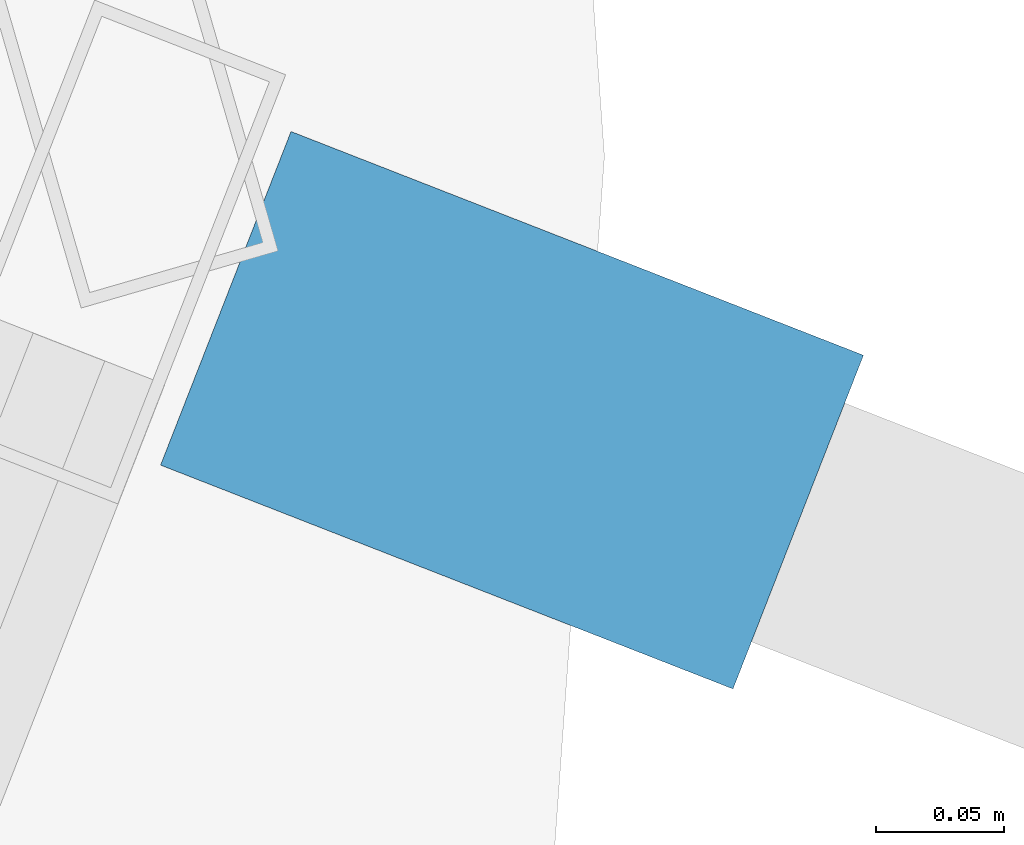
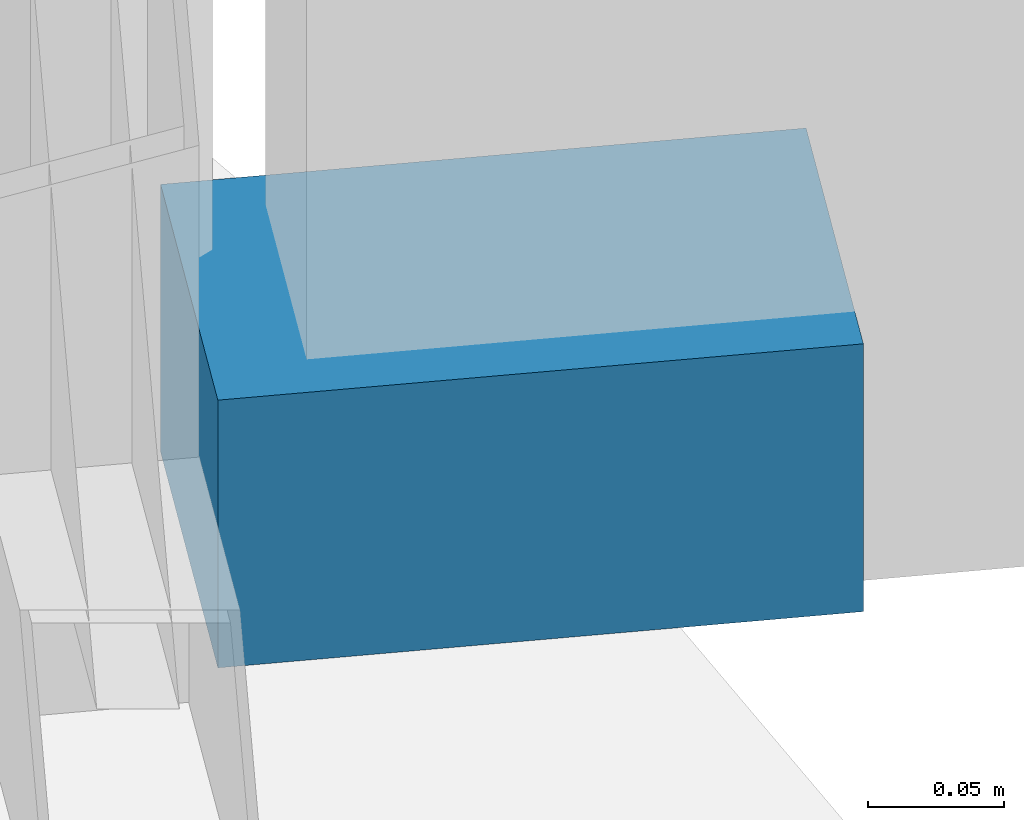
# One storey, part 30 of 34: 1 discrete accessory.
"""IFC4 building model written with IfcOpenShell, lengths in metres."""

from ifc_helpers import new_model, si_unit, direction, frame, origin, origin_2d, place, context, subcontext, project, spatial, rectangle, extrude, material, type_object, element, save


model = new_model("IFC4")

# Units and contexts
model_context = context("Model", 3, precision=1e-05, world=origin(), true_north=direction((0.0, 1.0)))
body_context = subcontext(model_context, "Body", "Model", "MODEL_VIEW")
ifc_project = project(units=[si_unit("LENGTHUNIT", "METRE"), si_unit("AREAUNIT", "SQUARE_METRE"), si_unit("VOLUMEUNIT", "CUBIC_METRE"), si_unit("PLANEANGLEUNIT", "RADIAN"), si_unit("MASSUNIT", "GRAM", prefix="KILO")], contexts=[model_context])

# Site, building, storey
site_placement = place(None, origin())
site = spatial("IfcSite", under=ifc_project, at=site_placement, CompositionType="ELEMENT")
building_placement = place(site_placement, origin())
building = spatial("IfcBuilding", under=site, at=building_placement, Name="Kazevale Care Tower and Concert Hall", CompositionType="ELEMENT")
storey_placement = place(building_placement, frame((0.0, 0.0, 163.800048828125)))
storey = spatial("IfcBuildingStorey", under=building, at=storey_placement, Name="L43", CompositionType="ELEMENT", Elevation=163.800048828125)

# Discrete accessory
ifc_material = material(Name="Stainless Steel 316", Category="steel")
discrete_accessory_type = type_object("IfcDiscreteAccessoryType", Name="Facade Fin Stainless Anchor Bracket BRK-1", PredefinedType="BRACKET", material=ifc_material)
discrete_accessory_placement = place(storey_placement, frame((79.36376953125, 37.90087890625, 0.0), z_axis=(0.0, 0.0, 1.0), x_axis=(0.931373876365, -0.364064146031, 0.0)))
element("IfcDiscreteAccessory", 1, at=discrete_accessory_placement, inside=storey, type_object=discrete_accessory_type, Name="cw:L43:f01:brk", PredefinedType="BRACKET", context=body_context, shape_type="SweptSolid", body=[
    extrude(rectangle(XDim=0.239990234375, YDim=0.139892578125, at=origin_2d()), origin(), (0.0, 0.0, 1.0), 0.1201171875),
])

save(model, "model.ifc")
